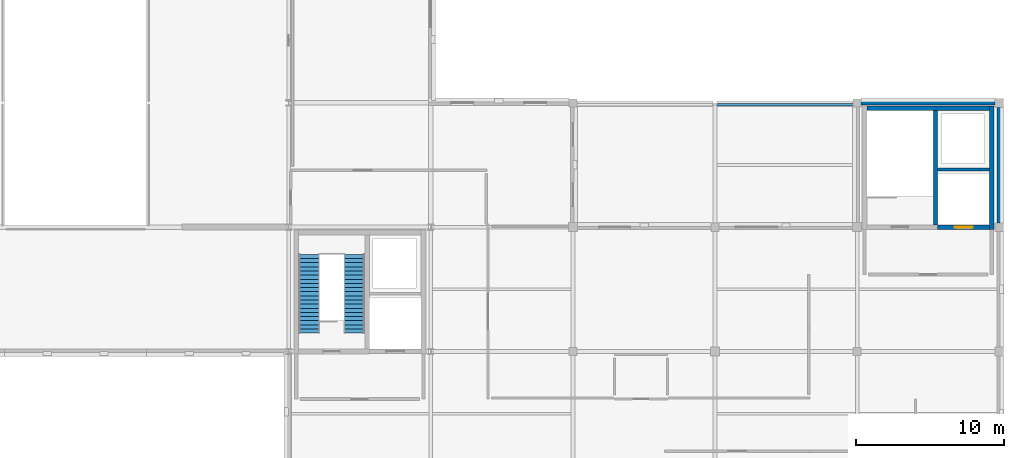
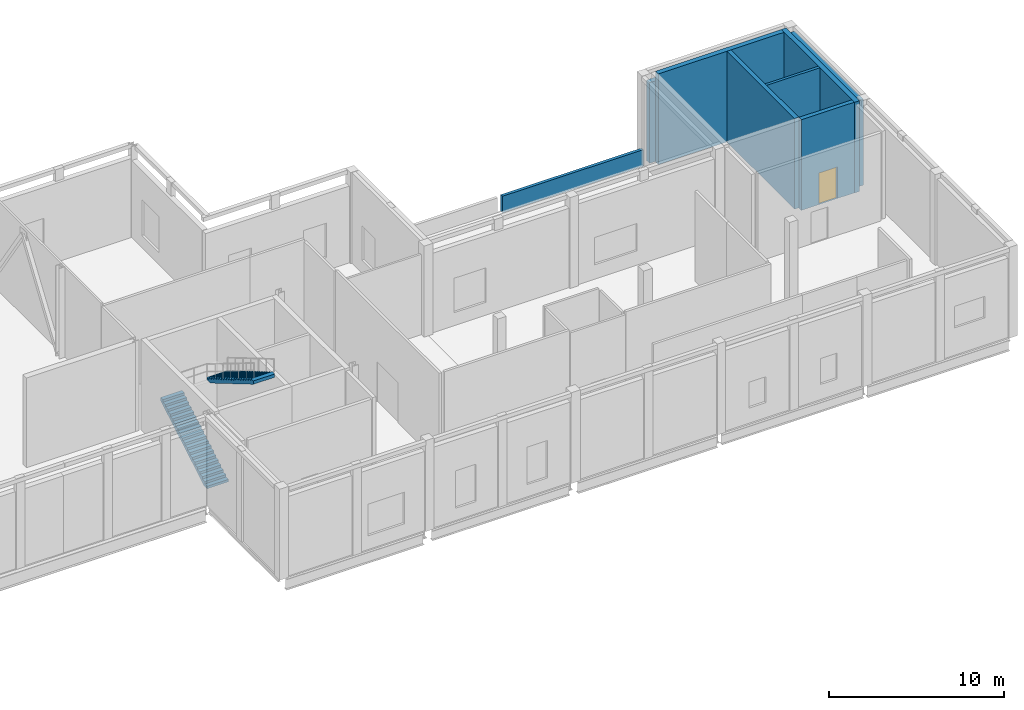
# One storey, part 7 of 9: 8 walls, 2 stair flights, 1 door, 1 opening, 1 element without a shape of its own.
"""IFC4 building model written with IfcOpenShell, lengths in metres."""

from ifc_helpers import new_model, si_unit, direction, frame, frame_2d, origin, place, context, subcontext, project, spatial, polyline, rectangle, outline, extrude, material, layer, layer_set, type_object, element, fill, aggregate, save


model = new_model("IFC4")

# Units and contexts
model_context = context("Model", 3, precision=1e-05, world=origin(), true_north=direction((0.0, 1.0)))
body_context = subcontext(model_context, "Body", "Model", "MODEL_VIEW")
ifc_project = project(units=[si_unit("LENGTHUNIT", "METRE"), si_unit("AREAUNIT", "SQUARE_METRE"), si_unit("VOLUMEUNIT", "CUBIC_METRE"), si_unit("PLANEANGLEUNIT", "RADIAN"), si_unit("MASSUNIT", "GRAM", prefix="KILO")], contexts=[model_context])

# Site, building, storey
site_placement = place(None, origin())
site = spatial("IfcSite", under=ifc_project, at=site_placement, CompositionType="ELEMENT")
building_placement = place(site_placement, origin())
building = spatial("IfcBuilding", under=site, at=building_placement, Name="Lornevale Opera House", CompositionType="ELEMENT")
storey_placement = place(building_placement, frame((0.0, 0.0, 24.60009765625)))
storey = spatial("IfcBuildingStorey", under=building, at=storey_placement, Name="L06", CompositionType="ELEMENT", Elevation=24.60009765625)

# Walls
ifc_material_1 = material(Name="Queenston Buff Limestone Ashlar Masonry (25 MPa)", Category="masonry")
ifc_layer_1 = layer(ifc_material_1, 0.324951171875)
ifc_layer_set_1 = layer_set([ifc_layer_1], Name="Queenston Buff Limestone Ashlar Masonry (25 MPa)")
wall_type_1 = type_object("IfcWallType", Name="Backstage Limestone Facade Wall 325", PredefinedType="SOLIDWALL", material=ifc_layer_set_1)
wall_1_placement = place(storey_placement, frame((134.675048828125, 75.60009765625, 0.0), z_axis=(0.0, 0.0, 1.0), x_axis=(1.0, 0.0, 0.0)))
element("IfcWall", 1, at=wall_1_placement, inside=storey, type_object=wall_type_1, Name="Backstage Limestone Facade Wall 325 WL-EXT-0317", PredefinedType="SOLIDWALL", context=body_context, shape_type="SweptSolid", body=[
    extrude(rectangle(XDim=9.02490234375, YDim=0.324951171875, at=frame_2d((4.512451171875, 0.0))), origin(), (0.0, 0.0, 1.0), 5.60693359375),
])
wall_2_placement = place(storey_placement, frame((144.0, 75.300048828125, 0.0), z_axis=(0.0, 0.0, 1.0), x_axis=(0.0, -1.0, 0.0)))
element("IfcWall", 2, at=wall_2_placement, inside=storey, type_object=wall_type_1, Name="Backstage Limestone Facade Wall 325 WL-EXT-0319", PredefinedType="SOLIDWALL", context=body_context, shape_type="SweptSolid", body=[
    extrude(rectangle(XDim=7.824951171875, YDim=0.324951171875, at=frame_2d((3.91259765625, 0.0))), origin(), (0.0, 0.0, 1.0), 5.977783203125),
])
ifc_material_2 = material(Name="Concrete 40 MPa (CSA A23.1 C-1)", Category="concrete")
ifc_layer_2 = layer(ifc_material_2, 0.320068359375)
ifc_layer_set_2 = layer_set([ifc_layer_2], Name="Concrete 40 MPa (CSA A23.1 C-1)")
wall_type_2 = type_object("IfcWallType", Name="Core Shear Wall 320", PredefinedType="SHEAR", material=ifc_layer_set_2)
wall_3_placement = place(storey_placement, frame((143.340087890625, 75.239990234375, 0.0), z_axis=(0.0, 0.0, 1.0), x_axis=(-1.0, 0.0, 0.0)))
element("IfcWall", 3, at=wall_3_placement, inside=storey, type_object=wall_type_2, Name="Backstage Firefighter Core East Core Shear Wall 320 WL-COR-0312", PredefinedType="SHEAR", context=body_context, shape_type="SweptSolid", body=[
    extrude(rectangle(XDim=8.280029296875, YDim=0.320068359375, at=frame_2d((4.14013671875, 0.0))), origin(), (0.0, 0.0, 1.0), 6.309814453125),
])
wall_4_placement = place(storey_placement, frame((143.5, 67.0400390625, 0.0), z_axis=(0.0, 0.0, 1.0), x_axis=(0.0, 1.0, 0.0)))
element("IfcWall", 4, at=wall_4_placement, inside=storey, type_object=wall_type_2, Name="Backstage Firefighter Core East Core Shear Wall 320 WL-COR-0314", PredefinedType="SHEAR", context=body_context, shape_type="SweptSolid", body=[
    extrude(rectangle(XDim=8.35986328125, YDim=0.320068359375, at=frame_2d((4.179931640625, 0.0))), origin(), (0.0, 0.0, 1.0), 6.309814453125),
])

# Wall, opening, door
ifc_layer_3 = layer(ifc_material_2, 0.280029296875)
ifc_layer_set_3 = layer_set([ifc_layer_3], Name="Concrete 40 MPa (CSA A23.1 C-1)")
wall_type_3 = type_object("IfcWallType", Name="Elevator Shaft Wall 280", PredefinedType="SHEAR", material=ifc_layer_set_3)
wall_5_placement = place(storey_placement, frame((139.840087890625, 67.199951171875, 0.0), z_axis=(0.0, 0.0, 1.0), x_axis=(1.0, 0.0, 0.0)))
wall_5 = element("IfcWall", 5, at=wall_5_placement, inside=storey, type_object=wall_type_3, Name="Backstage Firefighter Core East Elevator Shaft Wall 280 WL-COR-0311", PredefinedType="SHEAR", context=body_context, shape_type="SweptSolid", body=[
    extrude(rectangle(XDim=3.5, YDim=0.280029296875, at=frame_2d((1.75, 0.0))), origin(), (0.0, 0.0, 1.0), 6.309814453125),
])
opening_placement = place(wall_5_placement, frame((1.159912109375, 0.0, 0.0)))
opening = element("IfcOpeningElement", 6, at=opening_placement, cuts=wall_5, Name="Opening DR-T26", PredefinedType="OPENING", context=body_context, shape_type="SweptSolid", body=[
    extrude(rectangle(XDim=1.199951171875, YDim=2.199951171875, at=frame_2d((0.60009765625, 1.10009765625))), frame((0.0, 0.14990234375, 0.0), z_axis=(0.0, -1.0, 0.0), x_axis=(1.0, 0.0, 0.0)), (0.0, 0.0, 1.0), 0.300048828125),
])
ifc_material_3 = material(Name="Painted Hollow Metal Door Steel", Category="steel")
ifc_layer_4 = layer(ifc_material_3, 2.199951171875)
ifc_layer_set_4 = layer_set([ifc_layer_4], Name="Painted Hollow Metal Door Steel")
door_type = type_object("IfcDoorType", Name="Firefighter Lift Landing Door 1200x2200", OperationType="NOTDEFINED", PredefinedType="DOOR", material=ifc_layer_set_4)
door_placement = place(opening_placement, origin())
door = element("IfcDoor", 7, at=door_placement, inside=storey, type_object=door_type, Name="L-FF2 Landing Door L06", OperationType="SLIDING_TO_RIGHT", OverallHeight=2.199951171875, OverallWidth=1.199951171875, PredefinedType="DOOR", context=body_context, shape_type="SweptSolid", body=[
    extrude(rectangle(XDim=1.199951171875, YDim=2.199951171875, at=frame_2d((0.60009765625, 1.10009765625))), frame((0.0, 0.02490234375, 0.0), z_axis=(0.0, -1.0, 0.0), x_axis=(1.0, 0.0, 0.0)), (0.0, 0.0, 1.0), 0.050048828125),
])
fill(opening, door)

# Walls
wall_6_placement = place(storey_placement, frame((139.699951171875, 67.360107421875, 0.0), z_axis=(0.0, 0.0, 1.0), x_axis=(0.0, 1.0, 0.0)))
element("IfcWall", 8, at=wall_6_placement, inside=storey, type_object=wall_type_3, Name="Backstage Firefighter Core East Elevator Shaft Wall 280 WL-COR-0315", PredefinedType="SHEAR", context=body_context, shape_type="SweptSolid", body=[
    extrude(rectangle(XDim=7.719970703125, YDim=0.280029296875, at=frame_2d((3.85986328125, 0.0))), origin(), (0.0, 0.0, 1.0), 6.309814453125),
])
ifc_material_4 = material(Name="Precast Concrete 40 MPa (CSA A23.1 C-1)", Category="concrete")
ifc_layer_5 = layer(ifc_material_4, 0.195068359375)
ifc_layer_set_5 = layer_set([ifc_layer_5], Name="Precast Concrete 40 MPa (CSA A23.1 C-1)")
wall_type_4 = type_object("IfcWallType", Name="Green Roof Parapet Wall 195", PredefinedType="PARAPET", material=ifc_layer_set_5)
wall_7_placement = place(storey_placement, frame((124.9599609375, 75.469970703125, 0.0), z_axis=(0.0, 0.0, 1.0), x_axis=(1.0, 0.0, 0.0)))
element("IfcWall", 9, at=wall_7_placement, inside=storey, type_object=wall_type_4, Name="Green Roof Parapet Wall 195 0488", PredefinedType="PARAPET", context=body_context, shape_type="SweptSolid", body=[
    extrude(rectangle(XDim=9.280029296875, YDim=0.195068359375, at=frame_2d((4.64013671875, 0.0))), origin(), (0.0, 0.0, 1.0), 1.14990234375),
])
ifc_material_5 = material(Name="Moisture-Resistant Ceramic & Gypsum Partition", Category="gypsum")
ifc_layer_6 = layer(ifc_material_5, 0.179931640625)
ifc_layer_set_6 = layer_set([ifc_layer_6], Name="Moisture-Resistant Ceramic & Gypsum Partition")
wall_type_5 = type_object("IfcWallType", Name="Riser Shaft Wall 180", PredefinedType="SOLIDWALL", material=ifc_layer_set_6)
wall_8_placement = place(storey_placement, frame((139.840087890625, 71.10009765625, 0.0), z_axis=(0.0, 0.0, 1.0), x_axis=(1.0, 0.0, 0.0)))
element("IfcWall", 10, at=wall_8_placement, inside=storey, type_object=wall_type_5, Name="Backstage Firefighter Core East Riser Shaft Wall 180 WL-COR-0316", PredefinedType="SOLIDWALL", context=body_context, shape_type="SweptSolid", body=[
    extrude(rectangle(XDim=3.5, YDim=0.179931640625, at=frame_2d((1.75, 0.0))), origin(), (0.0, 0.0, 1.0), 6.309814453125),
])

# Stair, stair flights
ifc_material_6 = material(Name="Concrete 35 MPa (CSA A23.1 N)", Category="concrete")
ifc_layer_7 = layer(ifc_material_6, 6.60009765625)
ifc_layer_set_7 = layer_set([ifc_layer_7], Name="Concrete 35 MPa (CSA A23.1 N)")
stair_type = type_object("IfcStairType", Name="Fly Tower Crown Stair 6600-W1400", PredefinedType="TWO_STRAIGHT_RUN_STAIR", material=ifc_layer_set_7)
stair_placement = place(storey_placement, origin())
stair = element("IfcStair", 11, at=stair_placement, inside=storey, type_object=stair_type, Name="Stagehouse Firefighter Core West Stair ST-27 (L06-RF)", PredefinedType="TWO_STRAIGHT_RUN_STAIR")
ifc_layer_8 = layer(ifc_material_6, 0.199951171875)
ifc_layer_set_8 = layer_set([ifc_layer_8], Name="Concrete 35 MPa (CSA A23.1 N)")
stair_flight_type = type_object("IfcStairFlightType", Name="Crown Stair Flight 20R-W1400", PredefinedType="STRAIGHT", material=ifc_layer_set_8)
stair_flight_1_placement = place(storey_placement, frame((97.3798828125, 60.0400390625, 0.0), z_axis=(0.0, 0.0, 1.0), x_axis=(0.0, 1.0, 0.0)))
stair_flight_1 = element("IfcStairFlight", 12, at=stair_flight_1_placement, type_object=stair_flight_type, Name="ST-27 Lower Flight SF-053", NumberOfRisers=20, NumberOfTreads=19, PredefinedType="STRAIGHT", RiserHeight=0.165, TreadLength=0.28, context=body_context, shape_type="SweptSolid", body=[
    extrude(outline(polyline([(0.0, 0.0), (0.0, 0.1650390625), (0.280029296875, 0.1650390625), (0.280029296875, 0.330078125), (0.56005859375, 0.330078125), (0.56005859375, 0.4951171875), (0.840087890625, 0.4951171875), (0.840087890625, 0.659912109375), (1.1201171875, 0.659912109375), (1.1201171875, 0.824951171875), (1.39990234375, 0.824951171875), (1.39990234375, 0.989990234375), (1.679931640625, 0.989990234375), (1.679931640625, 1.155029296875), (1.9599609375, 1.155029296875), (1.9599609375, 1.320068359375), (2.239990234375, 1.320068359375), (2.239990234375, 1.485107421875), (2.52001953125, 1.485107421875), (2.52001953125, 1.64990234375), (2.800048828125, 1.64990234375), (2.800048828125, 1.81494140625), (3.080078125, 1.81494140625), (3.080078125, 1.97998046875), (3.360107421875, 1.97998046875), (3.360107421875, 2.14501953125), (3.639892578125, 2.14501953125), (3.639892578125, 2.31005859375), (3.919921875, 2.31005859375), (3.919921875, 2.47509765625), (4.199951171875, 2.47509765625), (4.199951171875, 2.639892578125), (4.47998046875, 2.639892578125), (4.47998046875, 2.804931640625), (4.760009765625, 2.804931640625), (4.760009765625, 2.969970703125), (5.0400390625, 2.969970703125), (5.0400390625, 3.135009765625), (5.320068359375, 3.135009765625), (5.320068359375, 2.90283203125), (0.393798828125, 0.0), (0.0, 0.0)])), frame((0.0, 0.699951171875, 0.0), z_axis=(0.0, -1.0, 0.0), x_axis=(1.0, 0.0, 0.0)), (0.0, 0.0, 1.0), 1.39990234375),
])
stair_flight_2_placement = place(storey_placement, frame((100.419921875, 65.360107421875, 3.2998046875), z_axis=(0.0, 0.0, 1.0), x_axis=(0.0, -1.0, 0.0)))
stair_flight_2 = element("IfcStairFlight", 13, at=stair_flight_2_placement, type_object=stair_flight_type, Name="ST-27 Upper Flight SF-054", NumberOfRisers=20, NumberOfTreads=19, PredefinedType="STRAIGHT", RiserHeight=0.165, TreadLength=0.28, context=body_context, shape_type="SweptSolid", body=[
    extrude(outline(polyline([(0.0, 0.0), (0.0, 0.1650390625), (0.280029296875, 0.1650390625), (0.280029296875, 0.330078125), (0.56005859375, 0.330078125), (0.56005859375, 0.4951171875), (0.840087890625, 0.4951171875), (0.840087890625, 0.659912109375), (1.1201171875, 0.659912109375), (1.1201171875, 0.824951171875), (1.39990234375, 0.824951171875), (1.39990234375, 0.989990234375), (1.679931640625, 0.989990234375), (1.679931640625, 1.155029296875), (1.9599609375, 1.155029296875), (1.9599609375, 1.320068359375), (2.239990234375, 1.320068359375), (2.239990234375, 1.485107421875), (2.52001953125, 1.485107421875), (2.52001953125, 1.64990234375), (2.800048828125, 1.64990234375), (2.800048828125, 1.81494140625), (3.080078125, 1.81494140625), (3.080078125, 1.97998046875), (3.360107421875, 1.97998046875), (3.360107421875, 2.14501953125), (3.639892578125, 2.14501953125), (3.639892578125, 2.31005859375), (3.919921875, 2.31005859375), (3.919921875, 2.47509765625), (4.199951171875, 2.47509765625), (4.199951171875, 2.639892578125), (4.47998046875, 2.639892578125), (4.47998046875, 2.804931640625), (4.760009765625, 2.804931640625), (4.760009765625, 2.969970703125), (5.0400390625, 2.969970703125), (5.0400390625, 3.135009765625), (5.320068359375, 3.135009765625), (5.320068359375, 2.90283203125), (0.393798828125, 0.0), (0.0, 0.0)])), frame((0.0, 0.699951171875, 0.0), z_axis=(0.0, -1.0, 0.0), x_axis=(1.0, 0.0, 0.0)), (0.0, 0.0, 1.0), 1.39990234375),
])
aggregate(stair, [stair_flight_1, stair_flight_2])

save(model, "model.ifc")
